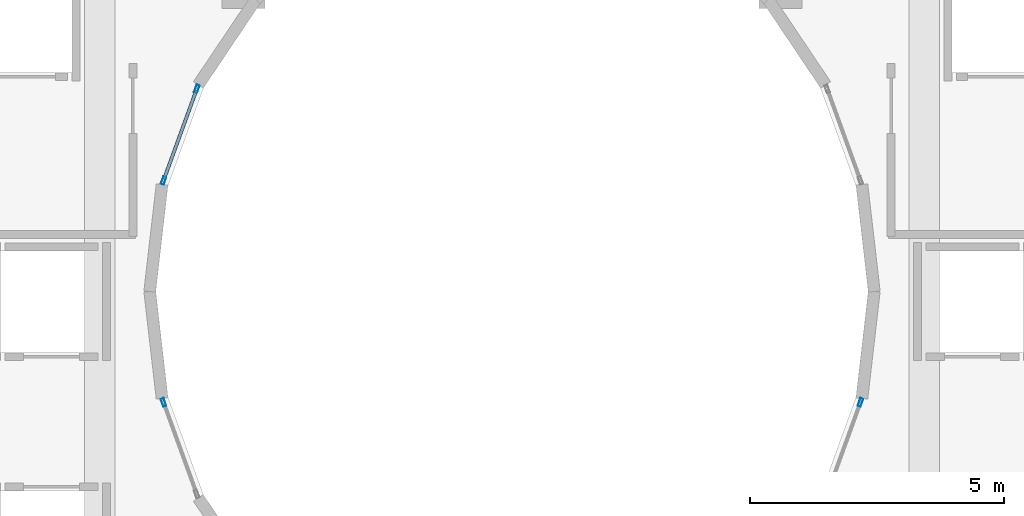
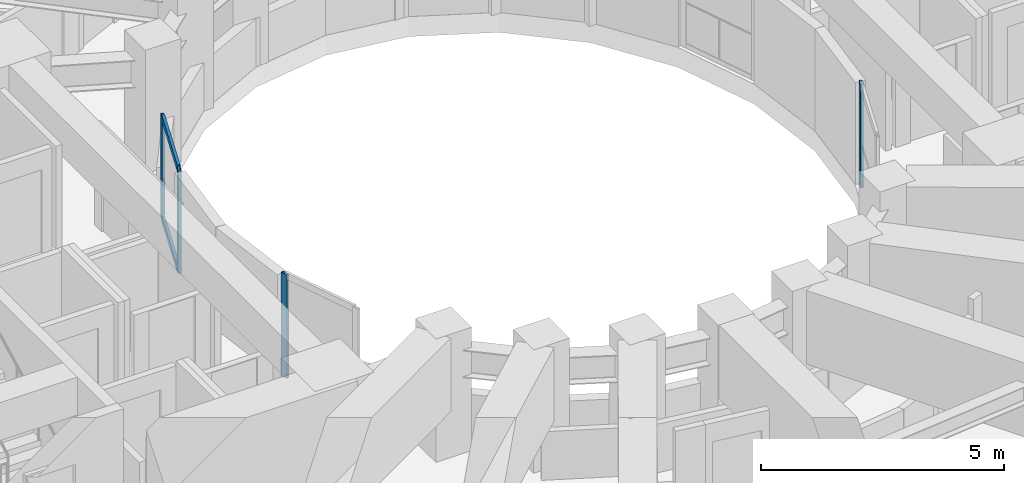
# One storey, part 5 of 19: 6 members, 3 elements without a shape of their own.
"""IFC4 building model written with IfcOpenShell, lengths in metres."""

from ifc_helpers import new_model, si_unit, direction, frame, origin, origin_2d, place, context, subcontext, project, spatial, hollow_rectangle, extrude, material, layer, layer_set, material_profile, profile_set, type_object, element, aggregate, save


model = new_model("IFC4")

# Units and contexts
model_context = context("Model", 3, precision=1e-05, world=origin(), true_north=direction((0.0, 1.0)))
body_context = subcontext(model_context, "Body", "Model", "MODEL_VIEW")
ifc_project = project(units=[si_unit("LENGTHUNIT", "METRE"), si_unit("AREAUNIT", "SQUARE_METRE"), si_unit("VOLUMEUNIT", "CUBIC_METRE"), si_unit("PLANEANGLEUNIT", "RADIAN"), si_unit("MASSUNIT", "GRAM", prefix="KILO")], contexts=[model_context])

# Site, building, storey
site_placement = place(None, origin())
site = spatial("IfcSite", under=ifc_project, at=site_placement, CompositionType="ELEMENT")
building_placement = place(site_placement, origin())
building = spatial("IfcBuilding", under=site, at=building_placement, Name="Solvane Sanctuary Tower", CompositionType="ELEMENT")
storey_placement = place(building_placement, frame((0.0, 0.0, 73.199951171875)))
storey = spatial("IfcBuildingStorey", under=building, at=storey_placement, Name="L21", CompositionType="ELEMENT", Elevation=73.199951171875)

# Curtain wall, members
ifc_material = material(Name="Anodised Aluminium 6063-T6", Category="aluminium")
ifc_layer = layer(ifc_material, 0.199951171875, Name="Anodised Aluminium 6063-T6")
ifc_layer_set = layer_set([ifc_layer], Name="Anodised Aluminium 6063-T6")
curtain_wall_type = type_object("IfcCurtainWallType", Name="Curtain Wall CW-WELL", PredefinedType="NOTDEFINED", material=ifc_layer_set)
curtain_wall_1_placement = place(storey_placement, origin())
curtain_wall_1 = element("IfcCurtainWall", 1, at=curtain_wall_1_placement, inside=storey, type_object=curtain_wall_type, Name="L21 Light-Well Glazed Curtain Wall 10", PredefinedType="NOTDEFINED")
ifc_material_profile_1 = material_profile(ifc_material, hollow_rectangle(XDim=0.06494140625, YDim=0.159912109375, WallThickness=0.00341796875, at=origin_2d()), Name="ALU160X65X3.5")
ifc_profile_set_1 = profile_set([ifc_material_profile_1], Name="Anodised Aluminium 6063-T6")
member_type_1 = type_object("IfcMemberType", Name="Member M-CW-MUL-2 ALU160X65X3.5", PredefinedType="MULLION", material=ifc_profile_set_1)
member_1_placement = place(storey_placement, frame((25.8056640625, 26.982421875, 0.0), z_axis=(0.0, 0.0, 1.0), x_axis=(0.939933181429, -0.341358483781, 0.0)))
member_1 = element("IfcMember", 2, at=member_1_placement, type_object=member_type_1, Name="CW-WELL mullion 1", PredefinedType="MULLION", context=body_context, shape_type="SweptSolid", body=[
    extrude(hollow_rectangle(XDim=0.06494140625, YDim=0.159912109375, WallThickness=0.00341796875, at=origin_2d()), origin(), (0.0, 0.0, 1.0), 2.60009765625),
])
member_2_placement = place(storey_placement, frame((25.15087890625, 25.17919921875, 0.0), z_axis=(0.0, 0.0, 1.0), x_axis=(0.939933181429, -0.341358483781, 0.0)))
member_2 = element("IfcMember", 3, at=member_2_placement, type_object=member_type_1, Name="CW-WELL mullion 2", PredefinedType="MULLION", context=body_context, shape_type="SweptSolid", body=[
    extrude(hollow_rectangle(XDim=0.06494140625, YDim=0.159912109375, WallThickness=0.00341796875, at=origin_2d()), origin(), (0.0, 0.0, 1.0), 2.60009765625),
])

# Curtain wall, member
curtain_wall_2_placement = place(storey_placement, origin())
curtain_wall_2 = element("IfcCurtainWall", 4, at=curtain_wall_2_placement, inside=storey, type_object=curtain_wall_type, Name="L21 Light-Well Glazed Curtain Wall 13", PredefinedType="NOTDEFINED")
member_3_placement = place(storey_placement, frame((25.15087890625, 20.82080078125, 0.0), z_axis=(0.0, 0.0, 1.0), x_axis=(0.939933181429, 0.341358483781, 0.0)))
member_3 = element("IfcMember", 5, at=member_3_placement, type_object=member_type_1, Name="CW-WELL mullion 1", PredefinedType="MULLION", context=body_context, shape_type="SweptSolid", body=[
    extrude(hollow_rectangle(XDim=0.06494140625, YDim=0.159912109375, WallThickness=0.00341796875, at=origin_2d()), origin(), (0.0, 0.0, 1.0), 2.60009765625),
])
aggregate(curtain_wall_2, [member_3])

curtain_wall_3_placement = place(storey_placement, origin())
curtain_wall_3 = element("IfcCurtainWall", 6, at=curtain_wall_3_placement, inside=storey, type_object=curtain_wall_type, Name="L21 Light-Well Glazed Curtain Wall 22", PredefinedType="NOTDEFINED")
member_4_placement = place(storey_placement, frame((38.84912109375, 20.82080078125, 0.0), z_axis=(0.0, 0.0, 1.0), x_axis=(-0.939933181429, 0.341358483781, 0.0)))
member_4 = element("IfcMember", 7, at=member_4_placement, type_object=member_type_1, Name="CW-WELL mullion 2", PredefinedType="MULLION", context=body_context, shape_type="SweptSolid", body=[
    extrude(hollow_rectangle(XDim=0.06494140625, YDim=0.159912109375, WallThickness=0.00341796875, at=origin_2d()), origin(), (0.0, 0.0, 1.0), 2.60009765625),
])
aggregate(curtain_wall_3, [member_4])

# Member
ifc_material_profile_2 = material_profile(ifc_material, hollow_rectangle(XDim=0.06494140625, YDim=0.159912109375, WallThickness=0.00341796875, at=origin_2d()), Name="ALU160X65X3.5")
ifc_profile_set_2 = profile_set([ifc_material_profile_2], Name="Anodised Aluminium 6063-T6")
member_type_2 = type_object("IfcMemberType", Name="Member M-CW-TRN-1 ALU160X65X3.5", PredefinedType="USERDEFINED", material=ifc_profile_set_2)
member_5_placement = place(storey_placement, frame((25.794677734375, 26.951904296875, 0.032470703125), z_axis=(-0.341404620561, -0.939916424508, 0.0), x_axis=(0.939916424508, -0.341404620561, 0.0)))
member_5 = element("IfcMember", 8, at=member_5_placement, type_object=member_type_2, Name="CW-WELL transom 1.1", ObjectType="TRANSOM", PredefinedType="USERDEFINED", context=body_context, shape_type="SweptSolid", body=[
    extrude(hollow_rectangle(XDim=0.06494140625, YDim=0.159912109375, WallThickness=0.00341796875, at=origin_2d()), origin(), (0.0, 0.0, 1.0), 1.853515625),
])

member_6_placement = place(storey_placement, frame((25.794677734375, 26.951904296875, 2.567626953125), z_axis=(-0.341404620561, -0.939916424508, 0.0), x_axis=(0.939916424508, -0.341404620561, 0.0)))
member_6 = element("IfcMember", 9, at=member_6_placement, type_object=member_type_2, Name="CW-WELL transom 1.2", ObjectType="TRANSOM", PredefinedType="USERDEFINED", context=body_context, shape_type="SweptSolid", body=[
    extrude(hollow_rectangle(XDim=0.06494140625, YDim=0.159912109375, WallThickness=0.00341796875, at=origin_2d()), origin(), (0.0, 0.0, 1.0), 1.853515625),
])

aggregate(curtain_wall_1, [member_1, member_2, member_5, member_6])

save(model, "model.ifc")
